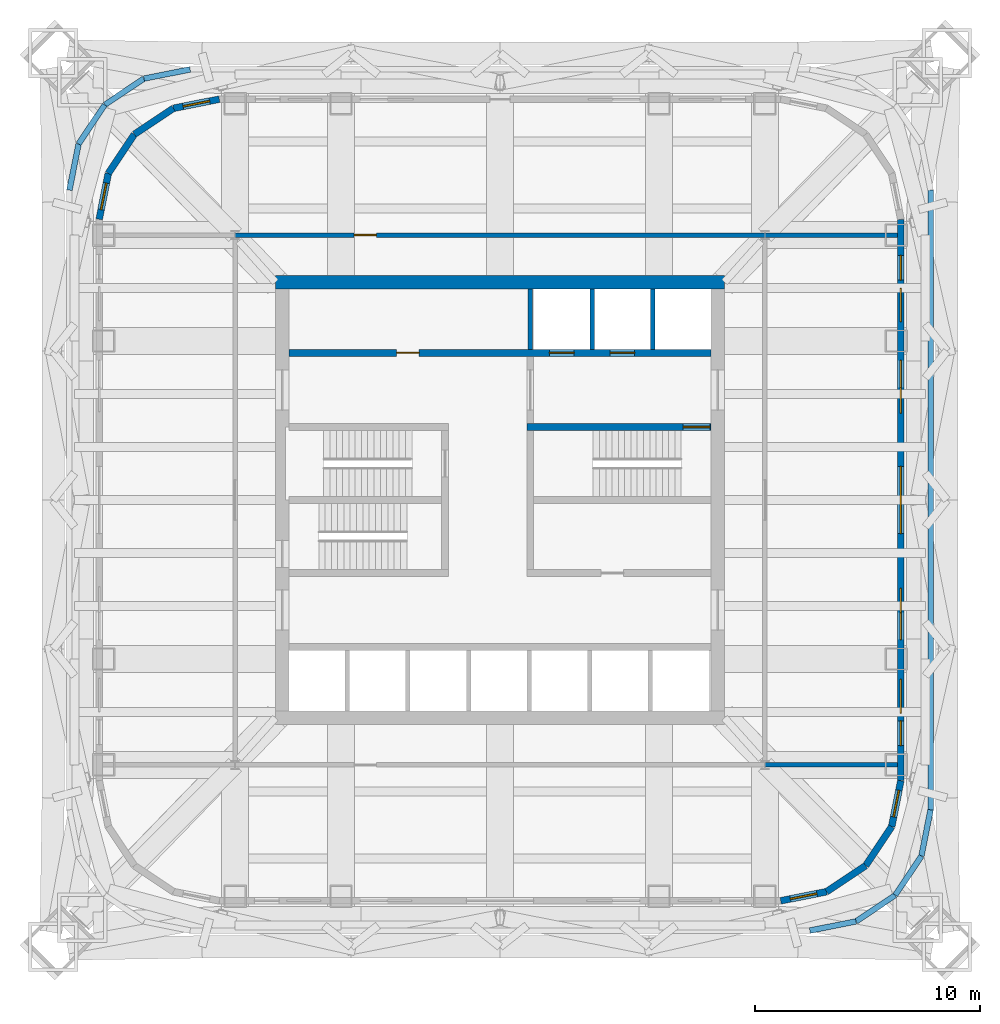
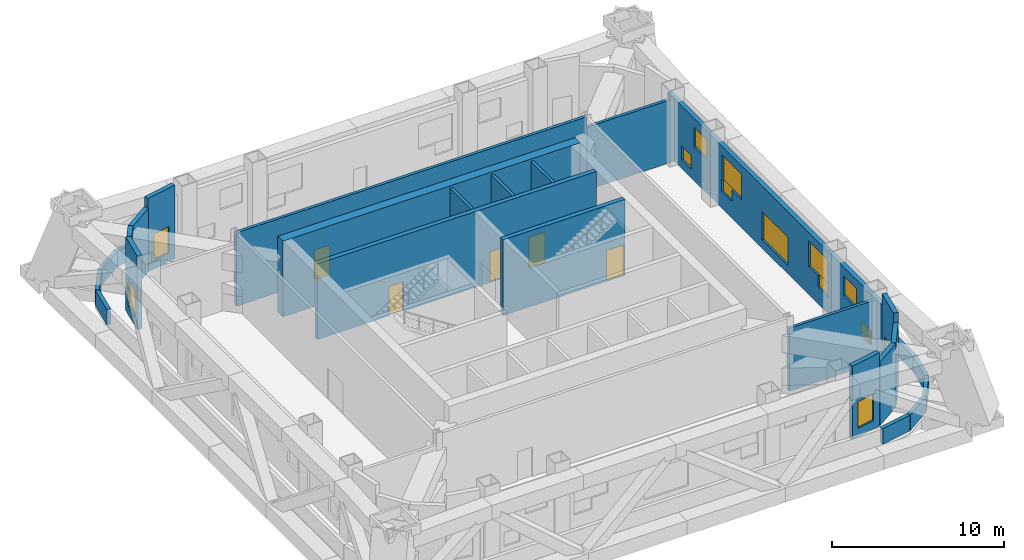
# One storey, part 6 of 9: 27 walls, 13 windows, 5 doors, 18 openings.
"""IFC4 building model written with IfcOpenShell, lengths in metres."""

from ifc_helpers import new_model, si_unit, direction, frame, frame_2d, origin, place, context, subcontext, project, spatial, rectangle, extrude, material, layer, layer_set, type_object, element, fill, save


model = new_model("IFC4")

# Units and contexts
model_context = context("Model", 3, precision=1e-05, world=origin(), true_north=direction((0.0, 1.0)))
body_context = subcontext(model_context, "Body", "Model", "MODEL_VIEW")
ifc_project = project(units=[si_unit("LENGTHUNIT", "METRE"), si_unit("AREAUNIT", "SQUARE_METRE"), si_unit("VOLUMEUNIT", "CUBIC_METRE"), si_unit("PLANEANGLEUNIT", "RADIAN"), si_unit("MASSUNIT", "GRAM", prefix="KILO")], contexts=[model_context])

# Site, building, storey
site_placement = place(None, origin())
site = spatial("IfcSite", under=ifc_project, at=site_placement, CompositionType="ELEMENT")
building_placement = place(site_placement, origin())
building = spatial("IfcBuilding", under=site, at=building_placement, Name="Turquesa Mirador Hotel Tower", CompositionType="ELEMENT")
storey_placement = place(building_placement, frame((0.0, 0.0, 221.300048828125)))
storey = spatial("IfcBuildingStorey", under=building, at=storey_placement, Name="L60", CompositionType="ELEMENT", Elevation=221.300048828125)

# Wall, openings, doors
ifc_material_1 = material(Name="Concrete C50/60", Category="concrete")
ifc_layer_1 = layer(ifc_material_1, 0.300048828125)
ifc_layer_set_1 = layer_set([ifc_layer_1], Name="CORE INNER WALL 300")
wall_type_1 = type_object("IfcWallType", Name="CORE INNER WALL 300", PredefinedType="SHEAR", material=ifc_layer_set_1)
wall_1_placement = place(storey_placement, frame((45.60009765625, 51.550048828125, 0.0), z_axis=(0.0, 0.0, 1.0), x_axis=(1.0, 0.0, 0.0)))
wall_1 = element("IfcWall", 1, at=wall_1_placement, inside=storey, type_object=wall_type_1, Name="Core wall NL", PredefinedType="SHEAR", context=body_context, shape_type="SweptSolid", body=[
    extrude(rectangle(XDim=18.7998046875, YDim=0.300048828125, at=frame_2d((9.39990234375, 0.0))), origin(), (0.0, 0.0, 1.0), 5.39990234375),
])
opening_1_placement = place(wall_1_placement, frame((4.800048828125, 0.0, 0.0)))
opening_1 = element("IfcOpeningElement", 2, at=opening_1_placement, cuts=wall_1, Name="Opening D05", PredefinedType="OPENING", context=body_context, shape_type="SweptSolid", body=[
    extrude(rectangle(XDim=1.0, YDim=2.10009765625, at=frame_2d((0.5, 1.050048828125))), frame((0.0, 0.159912109375, 0.0), z_axis=(0.0, -1.0, 0.0), x_axis=(1.0, 0.0, 0.0)), (0.0, 0.0, 1.0), 0.320068359375),
])
opening_2_placement = place(wall_1_placement, frame((11.60009765625, 0.0, 0.0)))
opening_2 = element("IfcOpeningElement", 3, at=opening_2_placement, cuts=wall_1, Name="Opening LD", PredefinedType="OPENING", context=body_context, shape_type="SweptSolid", body=[
    extrude(rectangle(XDim=1.10009765625, YDim=2.199951171875, at=frame_2d((0.550048828125, 1.10009765625))), frame((0.0, 0.159912109375, 0.0), z_axis=(0.0, -1.0, 0.0), x_axis=(1.0, 0.0, 0.0)), (0.0, 0.0, 1.0), 0.320068359375),
])
opening_3_placement = place(wall_1_placement, frame((14.300048828125, 0.0, 0.0)))
opening_3 = element("IfcOpeningElement", 4, at=opening_3_placement, cuts=wall_1, Name="Opening LD", PredefinedType="OPENING", context=body_context, shape_type="SweptSolid", body=[
    extrude(rectangle(XDim=1.10009765625, YDim=2.199951171875, at=frame_2d((0.550048828125, 1.10009765625))), frame((0.0, 0.159912109375, 0.0), z_axis=(0.0, -1.0, 0.0), x_axis=(1.0, 0.0, 0.0)), (0.0, 0.0, 1.0), 0.320068359375),
])
ifc_material_2 = material(Name="Steel fire door", Category="steel")
door_type_1 = type_object("IfcDoorType", Name="DOOR 1000X2100 SERVICE", OperationType="SINGLE_SWING_LEFT", PredefinedType="DOOR", material=ifc_material_2)
door_1_placement = place(opening_1_placement, origin())
door_1 = element("IfcDoor", 5, at=door_1_placement, inside=storey, type_object=door_type_1, Name="Linen store door", OperationType="SINGLE_SWING_LEFT", OverallHeight=2.10009765625, OverallWidth=1.0, PredefinedType="DOOR", context=body_context, shape_type="SweptSolid", body=[
    extrude(rectangle(XDim=1.0, YDim=2.10009765625, at=frame_2d((0.5, 1.050048828125))), frame((0.0, 0.02490234375, 0.0), z_axis=(0.0, -1.0, 0.0), x_axis=(1.0, 0.0, 0.0)), (0.0, 0.0, 1.0), 0.050048828125),
])
fill(opening_1, door_1)
ifc_material_3 = material(Name="Stainless steel lift landing door", Category="steel")
door_type_2 = type_object("IfcDoorType", Name="LIFT LANDING DOOR 1100X2200", OperationType="SLIDING_TO_LEFT", PredefinedType="DOOR", material=ifc_material_3)
door_2_placement = place(opening_2_placement, origin())
door_2 = element("IfcDoor", 6, at=door_2_placement, inside=storey, type_object=door_type_2, Name="Lift S1 landing door", OperationType="SLIDING_TO_LEFT", OverallHeight=2.199951171875, OverallWidth=1.10009765625, PredefinedType="DOOR", context=body_context, shape_type="SweptSolid", body=[
    extrude(rectangle(XDim=1.10009765625, YDim=2.199951171875, at=frame_2d((0.550048828125, 1.10009765625))), frame((0.0, 0.02490234375, 0.0), z_axis=(0.0, -1.0, 0.0), x_axis=(1.0, 0.0, 0.0)), (0.0, 0.0, 1.0), 0.050048828125),
])
fill(opening_2, door_2)
door_3_placement = place(opening_3_placement, origin())
door_3 = element("IfcDoor", 7, at=door_3_placement, inside=storey, type_object=door_type_2, Name="Lift S2 landing door", OperationType="SLIDING_TO_LEFT", OverallHeight=2.199951171875, OverallWidth=1.10009765625, PredefinedType="DOOR", context=body_context, shape_type="SweptSolid", body=[
    extrude(rectangle(XDim=1.10009765625, YDim=2.199951171875, at=frame_2d((0.550048828125, 1.10009765625))), frame((0.0, 0.02490234375, 0.0), z_axis=(0.0, -1.0, 0.0), x_axis=(1.0, 0.0, 0.0)), (0.0, 0.0, 1.0), 0.050048828125),
])
fill(opening_3, door_3)

# Wall, opening, door
wall_2_placement = place(storey_placement, frame((56.199951171875, 48.25, 0.0), z_axis=(0.0, 0.0, 1.0), x_axis=(1.0, 0.0, 0.0)))
wall_2 = element("IfcWall", 8, at=wall_2_placement, inside=storey, type_object=wall_type_1, Name="Core wall MN-E", PredefinedType="SHEAR", context=body_context, shape_type="SweptSolid", body=[
    extrude(rectangle(XDim=8.199951171875, YDim=0.300048828125, at=frame_2d((4.10009765625, 0.0))), origin(), (0.0, 0.0, 1.0), 5.39990234375),
])
opening_4_placement = place(wall_2_placement, frame((6.949951171875, 0.0, 0.0)))
opening_4 = element("IfcOpeningElement", 9, at=opening_4_placement, cuts=wall_2, Name="Opening D03", PredefinedType="OPENING", context=body_context, shape_type="SweptSolid", body=[
    extrude(rectangle(XDim=1.199951171875, YDim=2.199951171875, at=frame_2d((0.60009765625, 1.10009765625))), frame((0.0, 0.159912109375, 0.0), z_axis=(0.0, -1.0, 0.0), x_axis=(1.0, 0.0, 0.0)), (0.0, 0.0, 1.0), 0.320068359375),
])
ifc_material_4 = material(Name="Steel fire door", Category="steel")
door_type_3 = type_object("IfcDoorType", Name="DOOR 1200X2200 STAIR", OperationType="SINGLE_SWING_LEFT", PredefinedType="DOOR", material=ifc_material_4)
door_4_placement = place(opening_4_placement, origin())
door_4 = element("IfcDoor", 10, at=door_4_placement, inside=storey, type_object=door_type_3, Name="Stair ST3 door", OperationType="SINGLE_SWING_LEFT", OverallHeight=2.199951171875, OverallWidth=1.199951171875, PredefinedType="DOOR", context=body_context, shape_type="SweptSolid", body=[
    extrude(rectangle(XDim=1.199951171875, YDim=2.199951171875, at=frame_2d((0.60009765625, 1.10009765625))), frame((0.0, 0.02490234375, 0.0), z_axis=(0.0, -1.0, 0.0), x_axis=(1.0, 0.0, 0.0)), (0.0, 0.0, 1.0), 0.050048828125),
])
fill(opening_4, door_4)

# Wall
ifc_material_5 = material(Name="Concrete C50/60", Category="concrete")
ifc_layer_2 = layer(ifc_material_5, 0.60009765625)
ifc_layer_set_2 = layer_set([ifc_layer_2], Name="CORE WALL 600")
wall_type_2 = type_object("IfcWallType", Name="CORE WALL 600", PredefinedType="SHEAR", material=ifc_layer_set_2)
wall_3_placement = place(storey_placement, frame((45.0, 54.699951171875, 0.0), z_axis=(0.0, 0.0, 1.0), x_axis=(1.0, 0.0, 0.0)))
element("IfcWall", 11, at=wall_3_placement, inside=storey, type_object=wall_type_2, Name="Core wall N", PredefinedType="SHEAR", context=body_context, shape_type="SweptSolid", body=[
    extrude(rectangle(XDim=20.0, YDim=0.60009765625, at=frame_2d((10.0, 0.0))), origin(), (0.0, 0.0, 1.0), 5.39990234375),
])

# Wall, opening, door
ifc_material_6 = material(Name="Fire-rated gypsum board on steel studs", Category="steel")
ifc_layer_3 = layer(ifc_material_6, 0.199951171875)
ifc_layer_set_3 = layer_set([ifc_layer_3], Name="CORRIDOR WALL 200")
wall_type_3 = type_object("IfcWallType", Name="CORRIDOR WALL 200", PredefinedType="PARTITIONING", material=ifc_layer_set_3)
wall_4_placement = place(storey_placement, frame((43.199951171875, 56.800048828125, 0.0), z_axis=(0.0, 0.0, 1.0), x_axis=(1.0, 0.0, 0.0)))
wall_4 = element("IfcWall", 12, at=wall_4_placement, inside=storey, type_object=wall_type_3, Name="Partition L60 004", PredefinedType="PARTITIONING", context=body_context, shape_type="SweptSolid", body=[
    extrude(rectangle(XDim=23.60009765625, YDim=0.199951171875, at=frame_2d((11.800048828125, 0.0))), origin(), (0.0, 0.0, 1.0), 5.22998046875),
])
opening_5_placement = place(wall_4_placement, frame((5.300048828125, 0.0, 0.0)))
opening_5 = element("IfcOpeningElement", 13, at=opening_5_placement, cuts=wall_4, Name="Opening D05", PredefinedType="OPENING", context=body_context, shape_type="SweptSolid", body=[
    extrude(rectangle(XDim=1.0, YDim=2.10009765625, at=frame_2d((0.5, 1.050048828125))), frame((0.0, 0.10986328125, 0.0), z_axis=(0.0, -1.0, 0.0), x_axis=(1.0, 0.0, 0.0)), (0.0, 0.0, 1.0), 0.219970703125),
])
door_5_placement = place(opening_5_placement, origin())
door_5 = element("IfcDoor", 14, at=door_5_placement, inside=storey, type_object=door_type_1, Name="Door L60-01", OperationType="SINGLE_SWING_LEFT", OverallHeight=2.10009765625, OverallWidth=1.0, PredefinedType="DOOR", context=body_context, shape_type="SweptSolid", body=[
    extrude(rectangle(XDim=1.0, YDim=2.10009765625, at=frame_2d((0.5, 1.050048828125))), frame((0.0, 0.02490234375, 0.0), z_axis=(0.0, -1.0, 0.0), x_axis=(1.0, 0.0, 0.0)), (0.0, 0.0, 1.0), 0.050048828125),
])
fill(opening_5, door_5)

# Walls
ifc_material_7 = material(Name="Fire-rated gypsum board on steel studs", Category="steel")
ifc_layer_4 = layer(ifc_material_7, 0.199951171875)
ifc_layer_set_4 = layer_set([ifc_layer_4], Name="FIRE PARTITION 200")
wall_type_4 = type_object("IfcWallType", Name="FIRE PARTITION 200", PredefinedType="PARTITIONING", material=ifc_layer_set_4)
for number, where, z_axis, x_axis, name in (
    (15, (66.800048828125, 33.199951171875, 0.0), (0.0, 0.0, 1.0), (1.0, 0.0, 0.0), "Partition L60 003"),
    (16, (66.800048828125, 56.800048828125, 0.0), (0.0, 0.0, 1.0), (1.0, 0.0, 0.0), "Partition L60 006"),
):
    element("IfcWall", number, at=place(storey_placement, frame(where, z_axis=z_axis, x_axis=x_axis)), inside=storey, type_object=wall_type_4, Name=name, PredefinedType="PARTITIONING", context=body_context, shape_type="SweptSolid", body=[
        extrude(rectangle(XDim=5.89990234375, YDim=0.199951171875, at=frame_2d((2.949951171875, 0.0))), origin(), (0.0, 0.0, 1.0), 4.47314453125),
    ])
ifc_material_8 = material(Name="Fire-rated gypsum shaft wall on steel studs", Category="steel")
ifc_layer_5 = layer(ifc_material_8, 0.199951171875)
ifc_layer_set_5 = layer_set([ifc_layer_5], Name="LIFT SHAFT DIVIDER 200")
wall_type_5 = type_object("IfcWallType", Name="LIFT SHAFT DIVIDER 200", PredefinedType="PARTITIONING", material=ifc_layer_set_5)
for number, where, z_axis, x_axis, name in (
    (17, (59.10009765625, 51.699951171875, 0.0), (0.0, 0.0, 1.0), (0.0, 1.0, 0.0), "Lift shaft divider"),
    (18, (61.800048828125, 51.699951171875, 0.0), (0.0, 0.0, 1.0), (0.0, 1.0, 0.0), "Lift shaft divider"),
    (19, (56.35009765625, 51.699951171875, 0.0), (0.0, 0.0, 1.0), (0.0, 1.0, 0.0), "Lift shaft divider"),
):
    element("IfcWall", number, at=place(storey_placement, frame(where, z_axis=z_axis, x_axis=x_axis)), inside=storey, type_object=wall_type_5, Name=name, PredefinedType="PARTITIONING", context=body_context, shape_type="SweptSolid", body=[
        extrude(rectangle(XDim=2.699951171875, YDim=0.199951171875, at=frame_2d((1.35009765625, 0.0))), origin(), (0.0, 0.0, 1.0), 5.22998046875),
    ])

# Wall, opening, window
ifc_material_9 = material(Name="Limestone cladding on concrete block", Category="masonry")
ifc_layer_6 = layer(ifc_material_9, 0.300048828125)
ifc_layer_set_6 = layer_set([ifc_layer_6], Name="LOUVRE WALL 300 STONE")
wall_type_6 = type_object("IfcWallType", Name="LOUVRE WALL 300 STONE", PredefinedType="SOLIDWALL", material=ifc_layer_set_6)
wall_5_placement = place(storey_placement, frame((67.5, 27.14990234375, 0.0), z_axis=(0.0, 0.0, 1.0), x_axis=(0.980787050784, 0.195081421501, 0.0)))
wall_5 = element("IfcWall", 20, at=wall_5_placement, inside=storey, type_object=wall_type_6, Name="Facade wall L60 00", PredefinedType="SOLIDWALL", context=body_context, shape_type="SweptSolid", body=[
    extrude(rectangle(XDim=2.08740234375, YDim=0.300048828125, at=frame_2d((1.043701171875, 0.0))), origin(), (0.0, 0.0, 1.0), 5.22998046875),
])
opening_6_placement = place(wall_5_placement, frame((0.443603515625, 0.0, 0.60009765625)))
opening_6 = element("IfcOpeningElement", 21, at=opening_6_placement, cuts=wall_5, Name="Opening LV9", PredefinedType="OPENING", context=body_context, shape_type="SweptSolid", body=[
    extrude(rectangle(XDim=1.199951171875, YDim=1.89990234375, at=frame_2d((0.60009765625, 0.949951171875))), frame((0.0, 0.159912109375, 0.0), z_axis=(0.0, -1.0, 0.0), x_axis=(1.0, 0.0, 0.0)), (0.0, 0.0, 1.0), 0.320068359375),
])
ifc_material_10 = material(Name="Aluminium extrusion", Category="aluminium")
window_type_1 = type_object("IfcWindowType", Name="PLANT LOUVRE 1200X1900", PartitioningType="SINGLE_PANEL", PredefinedType="USERDEFINED", material=ifc_material_10)
window_1_placement = place(opening_6_placement, origin())
window_1 = element("IfcWindow", 22, at=window_1_placement, inside=storey, type_object=window_type_1, Name="Window L60", ObjectType="LOUVRE", OverallHeight=1.89990234375, OverallWidth=1.199951171875, PartitioningType="SINGLE_PANEL", PredefinedType="USERDEFINED", context=body_context, shape_type="SweptSolid", body=[
    extrude(rectangle(XDim=1.199951171875, YDim=1.89990234375, at=frame_2d((0.60009765625, 0.949951171875))), frame((0.0, 0.030029296875, 0.0), z_axis=(0.0, -1.0, 0.0), x_axis=(1.0, 0.0, 0.0)), (0.0, 0.0, 1.0), 0.06005859375),
])
fill(opening_6, window_1)

# Walls
for number, where, z_axis, x_axis, name in (
    (23, (69.54736328125, 27.55712890625, 0.0), (0.0, 0.0, 1.0), (0.831420010345, 0.555644460423, 0.0), "Facade wall L60 01"),
    (24, (71.282958984375, 28.717041015625, 0.0), (0.0, 0.0, 1.0), (0.555644460423, 0.831420010345, 0.0), "Facade wall L60 02"),
):
    element("IfcWall", number, at=place(storey_placement, frame(where, z_axis=z_axis, x_axis=x_axis)), inside=storey, type_object=wall_type_6, Name=name, PredefinedType="SOLIDWALL", context=body_context, shape_type="SweptSolid", body=[
        extrude(rectangle(XDim=2.08740234375, YDim=0.300048828125, at=frame_2d((1.043701171875, 0.0))), origin(), (0.0, 0.0, 1.0), 4.530029296875),
    ])

# Wall, opening, window
wall_6_placement = place(storey_placement, frame((72.44287109375, 30.45263671875, 0.0), z_axis=(0.0, 0.0, 1.0), x_axis=(0.195081421501, 0.980787050784, 0.0)))
wall_6 = element("IfcWall", 25, at=wall_6_placement, inside=storey, type_object=wall_type_6, Name="Facade wall L60 03", PredefinedType="SOLIDWALL", context=body_context, shape_type="SweptSolid", body=[
    extrude(rectangle(XDim=2.08740234375, YDim=0.300048828125, at=frame_2d((1.043701171875, 0.0))), origin(), (0.0, 0.0, 1.0), 5.22998046875),
])
opening_7_placement = place(wall_6_placement, frame((0.443603515625, 0.0, 0.60009765625)))
opening_7 = element("IfcOpeningElement", 26, at=opening_7_placement, cuts=wall_6, Name="Opening LV9", PredefinedType="OPENING", context=body_context, shape_type="SweptSolid", body=[
    extrude(rectangle(XDim=1.199951171875, YDim=1.89990234375, at=frame_2d((0.60009765625, 0.949951171875))), frame((0.0, 0.159912109375, 0.0), z_axis=(0.0, -1.0, 0.0), x_axis=(1.0, 0.0, 0.0)), (0.0, 0.0, 1.0), 0.320068359375),
])
window_2_placement = place(opening_7_placement, origin())
window_2 = element("IfcWindow", 27, at=window_2_placement, inside=storey, type_object=window_type_1, Name="Window L60", ObjectType="LOUVRE", OverallHeight=1.89990234375, OverallWidth=1.199951171875, PartitioningType="SINGLE_PANEL", PredefinedType="USERDEFINED", context=body_context, shape_type="SweptSolid", body=[
    extrude(rectangle(XDim=1.199951171875, YDim=1.89990234375, at=frame_2d((0.60009765625, 0.949951171875))), frame((0.0, 0.030029296875, 0.0), z_axis=(0.0, -1.0, 0.0), x_axis=(1.0, 0.0, 0.0)), (0.0, 0.0, 1.0), 0.06005859375),
])
fill(opening_7, window_2)

# Wall, openings, windows
wall_7_placement = place(storey_placement, frame((72.85009765625, 32.5, 0.0), z_axis=(0.0, 0.0, 1.0), x_axis=(0.0, 1.0, 0.0)))
wall_7 = element("IfcWall", 28, at=wall_7_placement, inside=storey, type_object=wall_type_6, Name="Facade wall L60 04", PredefinedType="SOLIDWALL", context=body_context, shape_type="SweptSolid", body=[
    extrude(rectangle(XDim=25.0, YDim=0.300048828125, at=frame_2d((12.5, 0.0))), origin(), (0.0, 0.0, 1.0), 4.429931640625),
])
opening_8_placement = place(wall_7_placement, frame((3.010009765625, 0.0, 2.39990234375)))
opening_8 = element("IfcOpeningElement", 29, at=opening_8_placement, cuts=wall_7, Name="Opening LV10", PredefinedType="OPENING", context=body_context, shape_type="SweptSolid", body=[
    extrude(rectangle(XDim=1.5, YDim=1.39990234375, at=frame_2d((0.75, 0.699951171875))), frame((0.0, 0.159912109375, 0.0), z_axis=(0.0, -1.0, 0.0), x_axis=(1.0, 0.0, 0.0)), (0.0, 0.0, 1.0), 0.320068359375),
])
opening_9_placement = place(wall_7_placement, frame((6.280029296875, 0.0, 2.0)))
opening_9 = element("IfcOpeningElement", 30, at=opening_9_placement, cuts=wall_7, Name="Opening LV14", PredefinedType="OPENING", context=body_context, shape_type="SweptSolid", body=[
    extrude(rectangle(XDim=2.300048828125, YDim=1.800048828125, at=frame_2d((1.14990234375, 0.89990234375))), frame((0.0, 0.159912109375, 0.0), z_axis=(0.0, -1.0, 0.0), x_axis=(1.0, 0.0, 0.0)), (0.0, 0.0, 1.0), 0.320068359375),
])
opening_10_placement = place(wall_7_placement, frame((11.0, 0.0, 0.60009765625)))
opening_10 = element("IfcOpeningElement", 31, at=opening_10_placement, cuts=wall_7, Name="Opening LV16", PredefinedType="OPENING", context=body_context, shape_type="SweptSolid", body=[
    extrude(rectangle(XDim=3.0, YDim=2.0, at=frame_2d((1.5, 1.0))), frame((0.0, 0.159912109375, 0.0), z_axis=(0.0, -1.0, 0.0), x_axis=(1.0, 0.0, 0.0)), (0.0, 0.0, 1.0), 0.320068359375),
])
opening_11_placement = place(wall_7_placement, frame((16.3701171875, 0.0, 2.0)))
opening_11 = element("IfcOpeningElement", 32, at=opening_11_placement, cuts=wall_7, Name="Opening LV14", PredefinedType="OPENING", context=body_context, shape_type="SweptSolid", body=[
    extrude(rectangle(XDim=2.300048828125, YDim=1.800048828125, at=frame_2d((1.14990234375, 0.89990234375))), frame((0.0, 0.159912109375, 0.0), z_axis=(0.0, -1.0, 0.0), x_axis=(1.0, 0.0, 0.0)), (0.0, 0.0, 1.0), 0.320068359375),
])
opening_12_placement = place(wall_7_placement, frame((20.43994140625, 0.0, 2.39990234375)))
opening_12 = element("IfcOpeningElement", 33, at=opening_12_placement, cuts=wall_7, Name="Opening LV10", PredefinedType="OPENING", context=body_context, shape_type="SweptSolid", body=[
    extrude(rectangle(XDim=1.5, YDim=1.39990234375, at=frame_2d((0.75, 0.699951171875))), frame((0.0, 0.159912109375, 0.0), z_axis=(0.0, -1.0, 0.0), x_axis=(1.0, 0.0, 0.0)), (0.0, 0.0, 1.0), 0.320068359375),
])
opening_13_placement = place(wall_7_placement, frame((1.56005859375, 0.0, 0.60009765625)))
opening_13 = element("IfcOpeningElement", 34, at=opening_13_placement, cuts=wall_7, Name="Opening LV5", PredefinedType="OPENING", context=body_context, shape_type="SweptSolid", body=[
    extrude(rectangle(XDim=1.10009765625, YDim=1.0, at=frame_2d((0.550048828125, 0.5))), frame((0.0, 0.159912109375, 0.0), z_axis=(0.0, -1.0, 0.0), x_axis=(1.0, 0.0, 0.0)), (0.0, 0.0, 1.0), 0.320068359375),
])
opening_14_placement = place(wall_7_placement, frame((6.280029296875, 0.0, 1.199951171875)))
opening_14 = element("IfcOpeningElement", 35, at=opening_14_placement, cuts=wall_7, Name="Opening LV6", PredefinedType="OPENING", context=body_context, shape_type="SweptSolid", body=[
    extrude(rectangle(XDim=1.199951171875, YDim=0.800048828125, at=frame_2d((0.60009765625, 0.39990234375))), frame((0.0, 0.159912109375, 0.0), z_axis=(0.0, -1.0, 0.0), x_axis=(1.0, 0.0, 0.0)), (0.0, 0.0, 1.0), 0.320068359375),
])
opening_15_placement = place(wall_7_placement, frame((17.52001953125, 0.0, 1.199951171875)))
opening_15 = element("IfcOpeningElement", 36, at=opening_15_placement, cuts=wall_7, Name="Opening LV6", PredefinedType="OPENING", context=body_context, shape_type="SweptSolid", body=[
    extrude(rectangle(XDim=1.199951171875, YDim=0.800048828125, at=frame_2d((0.60009765625, 0.39990234375))), frame((0.0, 0.159912109375, 0.0), z_axis=(0.0, -1.0, 0.0), x_axis=(1.0, 0.0, 0.0)), (0.0, 0.0, 1.0), 0.320068359375),
])
opening_16_placement = place(wall_7_placement, frame((22.2900390625, 0.0, 0.60009765625)))
opening_16 = element("IfcOpeningElement", 37, at=opening_16_placement, cuts=wall_7, Name="Opening LV5", PredefinedType="OPENING", context=body_context, shape_type="SweptSolid", body=[
    extrude(rectangle(XDim=1.10009765625, YDim=1.0, at=frame_2d((0.550048828125, 0.5))), frame((0.0, 0.159912109375, 0.0), z_axis=(0.0, -1.0, 0.0), x_axis=(1.0, 0.0, 0.0)), (0.0, 0.0, 1.0), 0.320068359375),
])
ifc_material_11 = material(Name="Aluminium extrusion", Category="aluminium")
window_type_2 = type_object("IfcWindowType", Name="PLANT LOUVRE 1100X1000", PartitioningType="SINGLE_PANEL", PredefinedType="USERDEFINED", material=ifc_material_11)
window_3_placement = place(opening_13_placement, origin())
window_3 = element("IfcWindow", 38, at=window_3_placement, inside=storey, type_object=window_type_2, Name="Window L60", ObjectType="LOUVRE", OverallHeight=1.0, OverallWidth=1.10009765625, PartitioningType="SINGLE_PANEL", PredefinedType="USERDEFINED", context=body_context, shape_type="SweptSolid", body=[
    extrude(rectangle(XDim=1.10009765625, YDim=1.0, at=frame_2d((0.550048828125, 0.5))), frame((0.0, 0.030029296875, 0.0), z_axis=(0.0, -1.0, 0.0), x_axis=(1.0, 0.0, 0.0)), (0.0, 0.0, 1.0), 0.06005859375),
])
fill(opening_13, window_3)
window_4_placement = place(opening_16_placement, origin())
window_4 = element("IfcWindow", 39, at=window_4_placement, inside=storey, type_object=window_type_2, Name="Window L60", ObjectType="LOUVRE", OverallHeight=1.0, OverallWidth=1.10009765625, PartitioningType="SINGLE_PANEL", PredefinedType="USERDEFINED", context=body_context, shape_type="SweptSolid", body=[
    extrude(rectangle(XDim=1.10009765625, YDim=1.0, at=frame_2d((0.550048828125, 0.5))), frame((0.0, 0.030029296875, 0.0), z_axis=(0.0, -1.0, 0.0), x_axis=(1.0, 0.0, 0.0)), (0.0, 0.0, 1.0), 0.06005859375),
])
fill(opening_16, window_4)
ifc_material_12 = material(Name="Aluminium extrusion", Category="aluminium")
window_type_3 = type_object("IfcWindowType", Name="PLANT LOUVRE 1200X800", PartitioningType="SINGLE_PANEL", PredefinedType="USERDEFINED", material=ifc_material_12)
window_5_placement = place(opening_14_placement, origin())
window_5 = element("IfcWindow", 40, at=window_5_placement, inside=storey, type_object=window_type_3, Name="Window L60", ObjectType="LOUVRE", OverallHeight=0.800048828125, OverallWidth=1.199951171875, PartitioningType="SINGLE_PANEL", PredefinedType="USERDEFINED", context=body_context, shape_type="SweptSolid", body=[
    extrude(rectangle(XDim=1.199951171875, YDim=0.800048828125, at=frame_2d((0.60009765625, 0.39990234375))), frame((0.0, 0.030029296875, 0.0), z_axis=(0.0, -1.0, 0.0), x_axis=(1.0, 0.0, 0.0)), (0.0, 0.0, 1.0), 0.06005859375),
])
fill(opening_14, window_5)
window_6_placement = place(opening_15_placement, origin())
window_6 = element("IfcWindow", 41, at=window_6_placement, inside=storey, type_object=window_type_3, Name="Window L60", ObjectType="LOUVRE", OverallHeight=0.800048828125, OverallWidth=1.199951171875, PartitioningType="SINGLE_PANEL", PredefinedType="USERDEFINED", context=body_context, shape_type="SweptSolid", body=[
    extrude(rectangle(XDim=1.199951171875, YDim=0.800048828125, at=frame_2d((0.60009765625, 0.39990234375))), frame((0.0, 0.030029296875, 0.0), z_axis=(0.0, -1.0, 0.0), x_axis=(1.0, 0.0, 0.0)), (0.0, 0.0, 1.0), 0.06005859375),
])
fill(opening_15, window_6)
ifc_material_13 = material(Name="Aluminium extrusion", Category="aluminium")
window_type_4 = type_object("IfcWindowType", Name="PLANT LOUVRE 1500X1400", PartitioningType="SINGLE_PANEL", PredefinedType="USERDEFINED", material=ifc_material_13)
window_7_placement = place(opening_8_placement, origin())
window_7 = element("IfcWindow", 42, at=window_7_placement, inside=storey, type_object=window_type_4, Name="Window L60", ObjectType="LOUVRE", OverallHeight=1.39990234375, OverallWidth=1.5, PartitioningType="SINGLE_PANEL", PredefinedType="USERDEFINED", context=body_context, shape_type="SweptSolid", body=[
    extrude(rectangle(XDim=1.5, YDim=1.39990234375, at=frame_2d((0.75, 0.699951171875))), frame((0.0, 0.030029296875, 0.0), z_axis=(0.0, -1.0, 0.0), x_axis=(1.0, 0.0, 0.0)), (0.0, 0.0, 1.0), 0.06005859375),
])
fill(opening_8, window_7)
window_8_placement = place(opening_12_placement, origin())
window_8 = element("IfcWindow", 43, at=window_8_placement, inside=storey, type_object=window_type_4, Name="Window L60", ObjectType="LOUVRE", OverallHeight=1.39990234375, OverallWidth=1.5, PartitioningType="SINGLE_PANEL", PredefinedType="USERDEFINED", context=body_context, shape_type="SweptSolid", body=[
    extrude(rectangle(XDim=1.5, YDim=1.39990234375, at=frame_2d((0.75, 0.699951171875))), frame((0.0, 0.030029296875, 0.0), z_axis=(0.0, -1.0, 0.0), x_axis=(1.0, 0.0, 0.0)), (0.0, 0.0, 1.0), 0.06005859375),
])
fill(opening_12, window_8)
ifc_material_14 = material(Name="Aluminium extrusion", Category="aluminium")
window_type_5 = type_object("IfcWindowType", Name="PLANT LOUVRE 2300X1800", PartitioningType="SINGLE_PANEL", PredefinedType="USERDEFINED", material=ifc_material_14)
window_9_placement = place(opening_9_placement, origin())
window_9 = element("IfcWindow", 44, at=window_9_placement, inside=storey, type_object=window_type_5, Name="Window L60", ObjectType="LOUVRE", OverallHeight=1.800048828125, OverallWidth=2.300048828125, PartitioningType="SINGLE_PANEL", PredefinedType="USERDEFINED", context=body_context, shape_type="SweptSolid", body=[
    extrude(rectangle(XDim=2.300048828125, YDim=1.800048828125, at=frame_2d((1.14990234375, 0.89990234375))), frame((0.0, 0.030029296875, 0.0), z_axis=(0.0, -1.0, 0.0), x_axis=(1.0, 0.0, 0.0)), (0.0, 0.0, 1.0), 0.06005859375),
])
fill(opening_9, window_9)
window_10_placement = place(opening_11_placement, origin())
window_10 = element("IfcWindow", 45, at=window_10_placement, inside=storey, type_object=window_type_5, Name="Window L60", ObjectType="LOUVRE", OverallHeight=1.800048828125, OverallWidth=2.300048828125, PartitioningType="SINGLE_PANEL", PredefinedType="USERDEFINED", context=body_context, shape_type="SweptSolid", body=[
    extrude(rectangle(XDim=2.300048828125, YDim=1.800048828125, at=frame_2d((1.14990234375, 0.89990234375))), frame((0.0, 0.030029296875, 0.0), z_axis=(0.0, -1.0, 0.0), x_axis=(1.0, 0.0, 0.0)), (0.0, 0.0, 1.0), 0.06005859375),
])
fill(opening_11, window_10)
ifc_material_15 = material(Name="Aluminium extrusion", Category="aluminium")
window_type_6 = type_object("IfcWindowType", Name="PLANT LOUVRE 3000X2000", PartitioningType="SINGLE_PANEL", PredefinedType="USERDEFINED", material=ifc_material_15)
window_11_placement = place(opening_10_placement, origin())
window_11 = element("IfcWindow", 46, at=window_11_placement, inside=storey, type_object=window_type_6, Name="Window L60", ObjectType="LOUVRE", OverallHeight=2.0, OverallWidth=3.0, PartitioningType="SINGLE_PANEL", PredefinedType="USERDEFINED", context=body_context, shape_type="SweptSolid", body=[
    extrude(rectangle(XDim=3.0, YDim=2.0, at=frame_2d((1.5, 1.0))), frame((0.0, 0.030029296875, 0.0), z_axis=(0.0, -1.0, 0.0), x_axis=(1.0, 0.0, 0.0)), (0.0, 0.0, 1.0), 0.06005859375),
])
fill(opening_10, window_11)

# Wall, opening, window
wall_8_placement = place(storey_placement, frame((42.5, 62.85009765625, 0.0), z_axis=(0.0, 0.0, 1.0), x_axis=(-0.980787050784, -0.195081421501, 0.0)))
wall_8 = element("IfcWall", 47, at=wall_8_placement, inside=storey, type_object=wall_type_6, Name="Facade wall L60 10", PredefinedType="SOLIDWALL", context=body_context, shape_type="SweptSolid", body=[
    extrude(rectangle(XDim=2.08740234375, YDim=0.300048828125, at=frame_2d((1.043701171875, 0.0))), origin(), (0.0, 0.0, 1.0), 5.22998046875),
])
opening_17_placement = place(wall_8_placement, frame((0.443603515625, 0.0, 0.60009765625)))
opening_17 = element("IfcOpeningElement", 48, at=opening_17_placement, cuts=wall_8, Name="Opening LV9", PredefinedType="OPENING", context=body_context, shape_type="SweptSolid", body=[
    extrude(rectangle(XDim=1.199951171875, YDim=1.89990234375, at=frame_2d((0.60009765625, 0.949951171875))), frame((0.0, 0.159912109375, 0.0), z_axis=(0.0, -1.0, 0.0), x_axis=(1.0, 0.0, 0.0)), (0.0, 0.0, 1.0), 0.320068359375),
])
window_12_placement = place(opening_17_placement, origin())
window_12 = element("IfcWindow", 49, at=window_12_placement, inside=storey, type_object=window_type_1, Name="Window L60", ObjectType="LOUVRE", OverallHeight=1.89990234375, OverallWidth=1.199951171875, PartitioningType="SINGLE_PANEL", PredefinedType="USERDEFINED", context=body_context, shape_type="SweptSolid", body=[
    extrude(rectangle(XDim=1.199951171875, YDim=1.89990234375, at=frame_2d((0.60009765625, 0.949951171875))), frame((0.0, 0.030029296875, 0.0), z_axis=(0.0, -1.0, 0.0), x_axis=(1.0, 0.0, 0.0)), (0.0, 0.0, 1.0), 0.06005859375),
])
fill(opening_17, window_12)

# Walls
for number, where, z_axis, x_axis, name in (
    (50, (40.45263671875, 62.44287109375, 0.0), (0.0, 0.0, 1.0), (-0.831420010345, -0.555644460423, 0.0), "Facade wall L60 11"),
    (51, (38.717041015625, 61.282958984375, 0.0), (0.0, 0.0, 1.0), (-0.555644460423, -0.831420010345, 0.0), "Facade wall L60 12"),
):
    element("IfcWall", number, at=place(storey_placement, frame(where, z_axis=z_axis, x_axis=x_axis)), inside=storey, type_object=wall_type_6, Name=name, PredefinedType="SOLIDWALL", context=body_context, shape_type="SweptSolid", body=[
        extrude(rectangle(XDim=2.08740234375, YDim=0.300048828125, at=frame_2d((1.043701171875, 0.0))), origin(), (0.0, 0.0, 1.0), 4.530029296875),
    ])

# Wall, opening, window
wall_9_placement = place(storey_placement, frame((37.55712890625, 59.54736328125, 0.0), z_axis=(0.0, 0.0, 1.0), x_axis=(-0.195081421501, -0.980787050784, 0.0)))
wall_9 = element("IfcWall", 52, at=wall_9_placement, inside=storey, type_object=wall_type_6, Name="Facade wall L60 13", PredefinedType="SOLIDWALL", context=body_context, shape_type="SweptSolid", body=[
    extrude(rectangle(XDim=2.08740234375, YDim=0.300048828125, at=frame_2d((1.043701171875, 0.0))), origin(), (0.0, 0.0, 1.0), 5.22998046875),
])
opening_18_placement = place(wall_9_placement, frame((0.443603515625, 0.0, 0.60009765625)))
opening_18 = element("IfcOpeningElement", 53, at=opening_18_placement, cuts=wall_9, Name="Opening LV9", PredefinedType="OPENING", context=body_context, shape_type="SweptSolid", body=[
    extrude(rectangle(XDim=1.199951171875, YDim=1.89990234375, at=frame_2d((0.60009765625, 0.949951171875))), frame((0.0, 0.159912109375, 0.0), z_axis=(0.0, -1.0, 0.0), x_axis=(1.0, 0.0, 0.0)), (0.0, 0.0, 1.0), 0.320068359375),
])
window_13_placement = place(opening_18_placement, origin())
window_13 = element("IfcWindow", 54, at=window_13_placement, inside=storey, type_object=window_type_1, Name="Window L60", ObjectType="LOUVRE", OverallHeight=1.89990234375, OverallWidth=1.199951171875, PartitioningType="SINGLE_PANEL", PredefinedType="USERDEFINED", context=body_context, shape_type="SweptSolid", body=[
    extrude(rectangle(XDim=1.199951171875, YDim=1.89990234375, at=frame_2d((0.60009765625, 0.949951171875))), frame((0.0, 0.030029296875, 0.0), z_axis=(0.0, -1.0, 0.0), x_axis=(1.0, 0.0, 0.0)), (0.0, 0.0, 1.0), 0.06005859375),
])
fill(opening_18, window_13)

# Walls
ifc_material_16 = material(Name="Limestone cladding on concrete block", Category="masonry")
ifc_layer_7 = layer(ifc_material_16, 0.25)
ifc_layer_set_7 = layer_set([ifc_layer_7], Name="PARAPET 250 STONE")
wall_type_7 = type_object("IfcWallType", Name="PARAPET 250 STONE", PredefinedType="PARAPET", material=ifc_layer_set_7)
for number, where, z_axis, x_axis, name in (
    (55, (68.800048828125, 25.824951171875, 0.0), (0.0, 0.0, 1.0), (0.980781642665, 0.195108609271, 0.0), "Maintenance roof parapet L60"),
    (56, (70.85693359375, 26.234130859375, 0.0), (0.0, 0.0, 1.0), (0.831422922873, 0.555640102334, 0.0), "Maintenance roof parapet L60"),
    (57, (72.6005859375, 27.3994140625, 0.0), (0.0, 0.0, 1.0), (0.555640102334, 0.831422922873, 0.0), "Maintenance roof parapet L60"),
    (58, (73.765869140625, 29.14306640625, 0.0), (0.0, 0.0, 1.0), (0.195108609271, 0.980781642665, 0.0), "Maintenance roof parapet L60"),
):
    element("IfcWall", number, at=place(storey_placement, frame(where, z_axis=z_axis, x_axis=x_axis)), inside=storey, type_object=wall_type_7, Name=name, PredefinedType="PARAPET", context=body_context, shape_type="SweptSolid", body=[
        extrude(rectangle(XDim=2.09716796875, YDim=0.25, at=frame_2d((1.048583984375, 0.0))), origin(), (0.0, 0.0, 1.0), 1.099853515625),
    ])
wall_10_placement = place(storey_placement, frame((74.175048828125, 31.199951171875, 0.0), z_axis=(0.0, 0.0, 1.0), x_axis=(0.0, 1.0, 0.0)))
element("IfcWall", 59, at=wall_10_placement, inside=storey, type_object=wall_type_7, Name="Maintenance roof parapet L60", PredefinedType="PARAPET", context=body_context, shape_type="SweptSolid", body=[
    extrude(rectangle(XDim=27.60009765625, YDim=0.25, at=frame_2d((13.800048828125, 0.0))), origin(), (0.0, 0.0, 1.0), 1.099853515625),
])
for number, where, z_axis, x_axis, name in (
    (60, (41.199951171875, 64.175048828125, 0.0), (0.0, 0.0, 1.0), (-0.980781642665, -0.195108609271, 0.0), "Maintenance roof parapet L60"),
    (61, (39.14306640625, 63.765869140625, 0.0), (0.0, 0.0, 1.0), (-0.831422922873, -0.555640102334, 0.0), "Maintenance roof parapet L60"),
    (62, (37.3994140625, 62.6005859375, 0.0), (0.0, 0.0, 1.0), (-0.555640102334, -0.831422922873, 0.0), "Maintenance roof parapet L60"),
    (63, (36.234130859375, 60.85693359375, 0.0), (0.0, 0.0, 1.0), (-0.195108609271, -0.980781642665, 0.0), "Maintenance roof parapet L60"),
):
    element("IfcWall", number, at=place(storey_placement, frame(where, z_axis=z_axis, x_axis=x_axis)), inside=storey, type_object=wall_type_7, Name=name, PredefinedType="PARAPET", context=body_context, shape_type="SweptSolid", body=[
        extrude(rectangle(XDim=2.09716796875, YDim=0.25, at=frame_2d((1.048583984375, 0.0))), origin(), (0.0, 0.0, 1.0), 1.099853515625),
    ])

save(model, "model.ifc")
